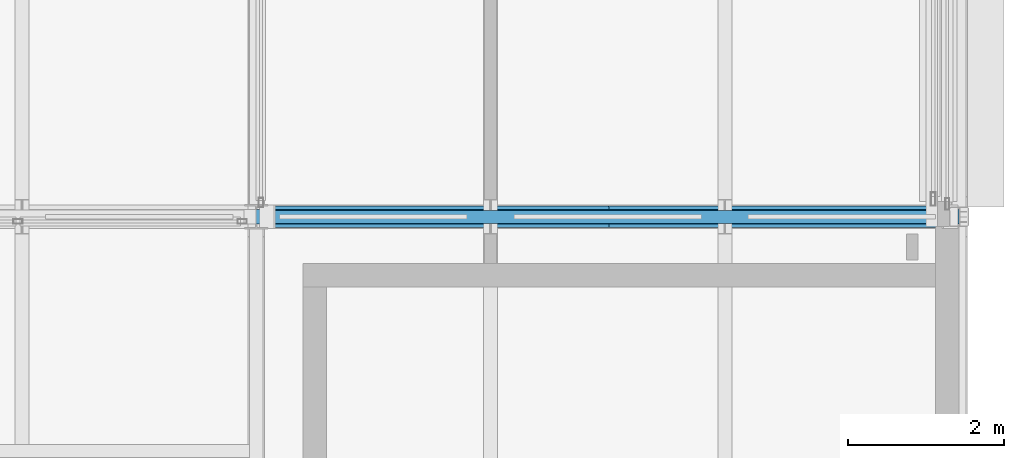
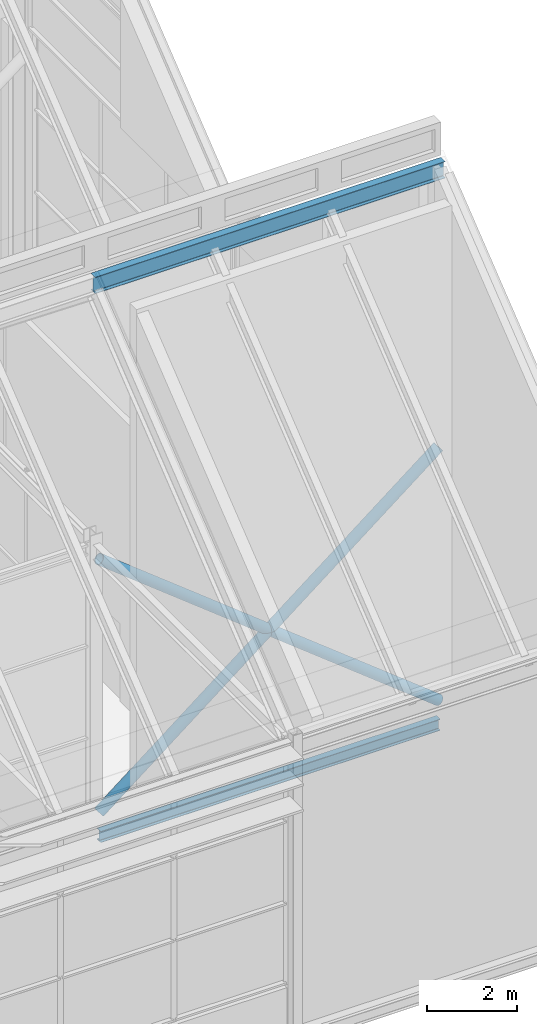
# One storey, part 68 of 144: 2 beams, 2 members.
"""IFC4 building model written with IfcOpenShell, lengths in metres."""

from ifc_helpers import new_model, si_unit, direction, frame, origin, origin_2d, place, context, subcontext, project, spatial, hollow_circle, i_section, extrude, material, material_profile, profile_set, type_object, element, save


model = new_model("IFC4")

# Units and contexts
model_context = context("Model", 3, precision=1e-05, world=origin(), true_north=direction((0.0, 1.0)))
body_context = subcontext(model_context, "Body", "Model", "MODEL_VIEW")
ifc_project = project(units=[si_unit("LENGTHUNIT", "METRE"), si_unit("AREAUNIT", "SQUARE_METRE"), si_unit("VOLUMEUNIT", "CUBIC_METRE"), si_unit("PLANEANGLEUNIT", "RADIAN"), si_unit("MASSUNIT", "GRAM", prefix="KILO")], contexts=[model_context])

# Site, building, storey
site_placement = place(None, origin())
site = spatial("IfcSite", under=ifc_project, at=site_placement, CompositionType="ELEMENT")
building_placement = place(site_placement, origin())
building = spatial("IfcBuilding", under=site, at=building_placement, Name="Shorebreak Coast Museum", CompositionType="ELEMENT")
storey_placement = place(building_placement, frame((0.0, 0.0, 36.0)))
storey = spatial("IfcBuildingStorey", under=building, at=storey_placement, Name="L06", CompositionType="ELEMENT", Elevation=36.0)

# Beams
ifc_material_1 = material(Name="Steel Grade 300", Category="steel")
ifc_material_profile_1 = material_profile(ifc_material_1, i_section(OverallWidth=0.166015625, OverallDepth=0.30712890625, WebThickness=0.006591796875, FlangeThickness=0.01171875, FilletRadius=0.011474609375, at=origin_2d()), Name="310UB46.2")
ifc_profile_set_1 = profile_set([ifc_material_profile_1], Name="Steel Grade 300")
beam_type_1 = type_object("IfcBeamType", Name="Floor girder east-west 310UB46.2", PredefinedType="BEAM", material=ifc_profile_set_1)
beam_1_placement = place(storey_placement, frame((108.153564453125, 63.0, -0.32861328125), z_axis=(1.0, 0.0, 0.0), x_axis=(0.0, 1.0, 0.0)))
element("IfcBeam", 1, at=beam_1_placement, inside=storey, type_object=beam_type_1, Name="Floor girder east-west L06 13H", PredefinedType="BEAM", context=body_context, shape_type="SweptSolid", body=[
    extrude(i_section(OverallWidth=0.166015625, OverallDepth=0.30712890625, WebThickness=0.006591796875, FlangeThickness=0.01171875, FilletRadius=0.011474609375, at=origin_2d()), origin(), (0.0, 0.0, 1.0), 8.721435546875),
])
ifc_material_2 = material(Name="Steel Grade 300", Category="steel")
ifc_material_profile_2 = material_profile(ifc_material_2, i_section(OverallWidth=0.18994140625, OverallDepth=0.453857421875, WebThickness=0.008544921875, FlangeThickness=0.0126953125, FilletRadius=0.011474609375, at=origin_2d()), Name="460UB67.1")
ifc_profile_set_2 = profile_set([ifc_material_profile_2], Name="Steel Grade 300")
beam_type_2 = type_object("IfcBeamType", Name="Fold ridge beam 460UB67.1", PredefinedType="BEAM", material=ifc_profile_set_2)
beam_2_placement = place(storey_placement, frame((108.0, 63.0, 14.717041015625), z_axis=(1.0, 0.0, 0.0), x_axis=(0.0, 1.0, 0.0)))
element("IfcBeam", 2, at=beam_2_placement, inside=storey, type_object=beam_type_2, Name="Fold ridge beam FOLD-X line H bay 13H", PredefinedType="BEAM", context=body_context, shape_type="SweptSolid", body=[
    extrude(i_section(OverallWidth=0.18994140625, OverallDepth=0.453857421875, WebThickness=0.008544921875, FlangeThickness=0.0126953125, FilletRadius=0.011474609375, at=origin_2d()), origin(), (0.0, 0.0, 1.0), 9.0),
])

# Members
ifc_material_3 = material(Name="Steel Grade C350L0", Category="steel")
ifc_material_profile_3 = material_profile(ifc_material_3, hollow_circle(Radius=0.136474609375, WallThickness=0.00927734375, at=origin_2d()), Name="273.1x9.3 CHS")
ifc_profile_set_3 = profile_set([ifc_material_profile_3], Name="Steel Grade C350L0")
member_type = type_object("IfcMemberType", Name="X-brace 273.1x9.3 CHS", PredefinedType="BRACE", material=ifc_profile_set_3)
for number, where, z_axis, x_axis, name in (
    (3, (108.153564453125, 63.0, 0.300048828125), (0.785079055174, 0.0, 0.619395574029), (0.0, 1.0, 0.0), "X-brace bay 02 L06 diagonal 1"),
    (4, (116.875, 63.0, 0.300048828125), (-0.785079055174, 0.0, 0.619395574029), (0.0, -1.0, 0.0), "X-brace bay 02 L06 diagonal 2"),
):
    element("IfcMember", number, at=place(storey_placement, frame(where, z_axis=z_axis, x_axis=x_axis)), inside=storey, type_object=member_type, Name=name, PredefinedType="BRACE", context=body_context, shape_type="SweptSolid", body=[
        extrude(hollow_circle(Radius=0.136474609375, WallThickness=0.00927734375, at=origin_2d()), origin(), (0.0, 0.0, 1.0), 11.10888671875),
    ])

save(model, "model.ifc")
